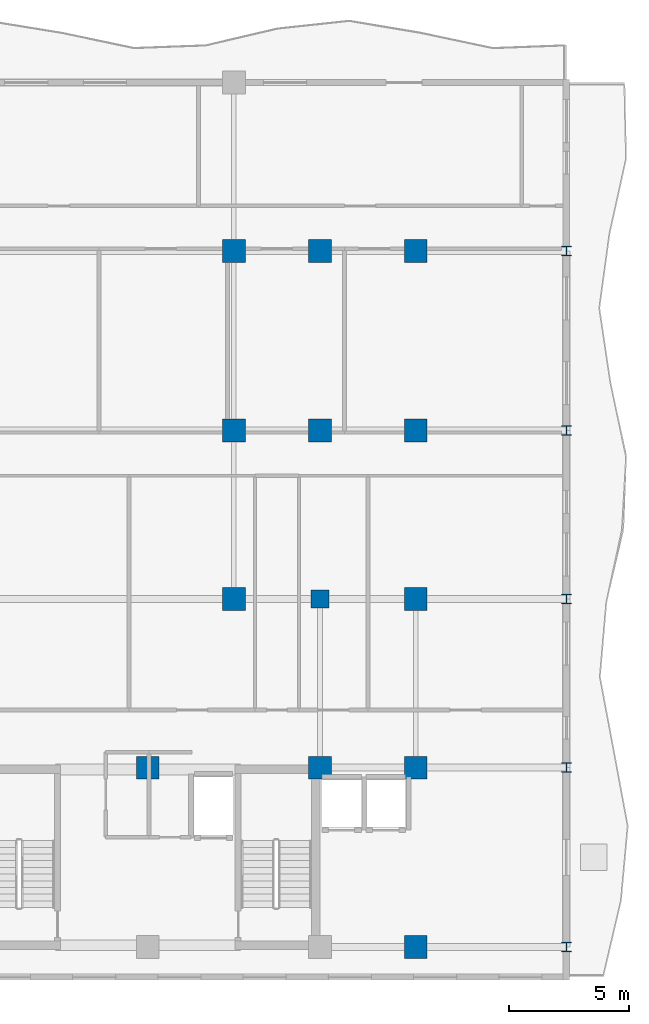
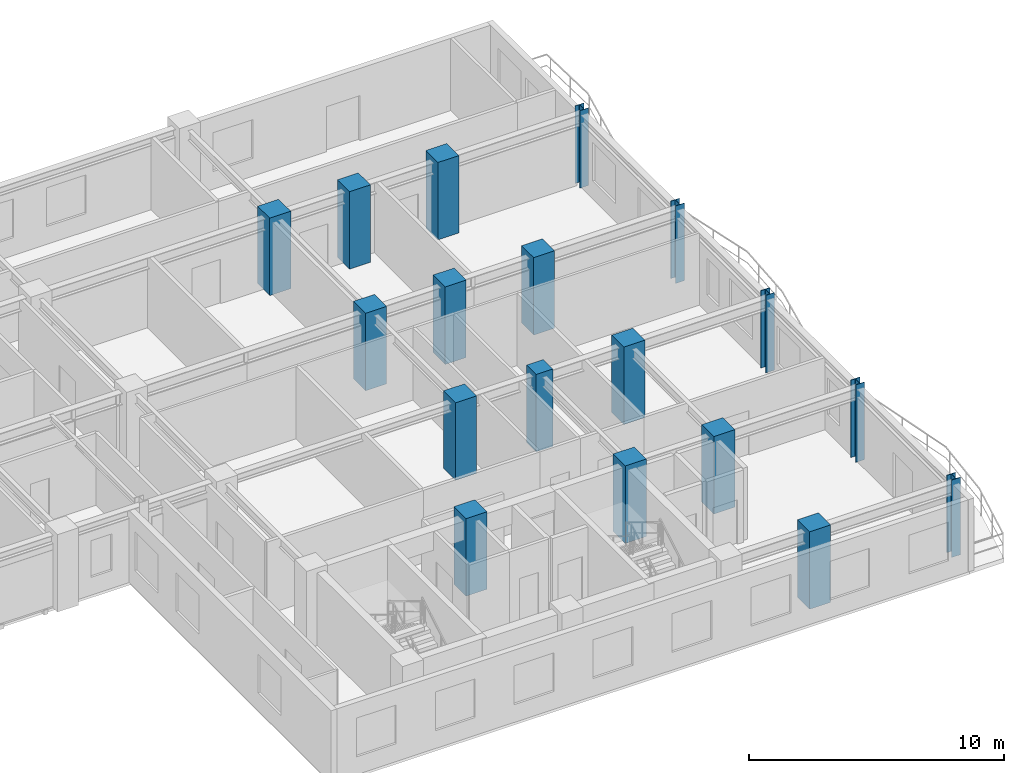
# One storey, part 2 of 14: 18 columns.
"""IFC4 building model written with IfcOpenShell, lengths in metres."""

from ifc_helpers import new_model, si_unit, direction, frame, origin, origin_2d, place, context, subcontext, project, spatial, rectangle, i_section, extrude, source, transform, mapped, material, material_profile, profile_set, type_object, element, save


model = new_model("IFC4")

# Units and contexts
model_context = context("Model", 3, precision=1e-05, world=origin(), true_north=direction((0.0, 1.0)))
body_context = subcontext(model_context, "Body", "Model", "MODEL_VIEW")
ifc_project = project(units=[si_unit("LENGTHUNIT", "METRE"), si_unit("AREAUNIT", "SQUARE_METRE"), si_unit("VOLUMEUNIT", "CUBIC_METRE"), si_unit("PLANEANGLEUNIT", "RADIAN"), si_unit("MASSUNIT", "GRAM", prefix="KILO")], contexts=[model_context])

# Site, building, storey
site_placement = place(None, origin())
site = spatial("IfcSite", under=ifc_project, at=site_placement, CompositionType="ELEMENT")
building_placement = place(site_placement, origin())
building = spatial("IfcBuilding", under=site, at=building_placement, Name="Kaliganga Portal Commons", CompositionType="ELEMENT")
storey_placement = place(building_placement, frame((0.0, 0.0, 220.300048828125)))
storey = spatial("IfcBuildingStorey", under=building, at=storey_placement, Name="L56", CompositionType="ELEMENT", Elevation=220.300048828125)

# Columns
ifc_material_1 = material(Name="Concrete C60/75", Category="concrete")
ifc_material_profile_1 = material_profile(ifc_material_1, rectangle(XDim=0.75, YDim=0.75, at=origin_2d()), Name="RC 750x750")
ifc_profile_set_1 = profile_set([ifc_material_profile_1], Name="Concrete C60/75")
column_type_1 = type_object("IfcColumnType", Name="COL-PILASTER-RC", PredefinedType="PILASTER", material=ifc_profile_set_1)
shared_shape_1 = source(origin(), body_context, "Body", "SweptSolid", [
    extrude(rectangle(XDim=0.75, YDim=0.75, at=origin_2d()), origin(), (0.0, 0.0, 1.0), 3.699951171875),
])
column_placement = place(storey_placement, frame((50.39990234375, 21.60009765625, 0.0), z_axis=(0.0, 0.0, 1.0), x_axis=(1.0, 0.0, 0.0)))
element("IfcColumn", 1, at=column_placement, inside=storey, type_object=column_type_1, Name="Column CP-01 L56", PredefinedType="PILASTER", context=body_context, shape_type="MappedRepresentation", body=[
    mapped(shared_shape_1, transform((0.0, 0.0, 0.0), x_axis=(1.0, 0.0, 0.0), y_axis=(0.0, 1.0, 0.0), z_axis=(0.0, 0.0, 1.0), scale=1.0)),
])
ifc_material_2 = material(Name="Concrete C50/60", Category="concrete")
ifc_material_profile_2 = material_profile(ifc_material_2, rectangle(XDim=0.949951171875, YDim=0.949951171875, at=origin_2d()), Name="RC 950x950")
ifc_profile_set_2 = profile_set([ifc_material_profile_2], Name="Concrete C50/60")
column_type_2 = type_object("IfcColumnType", Name="COL-MEGA-Z4", PredefinedType="COLUMN", material=ifc_profile_set_2)
shared_shape_2 = source(origin(), body_context, "Body", "SweptSolid", [
    extrude(rectangle(XDim=0.949951171875, YDim=0.949951171875, at=origin_2d()), origin(), (0.0, 0.0, 1.0), 3.699951171875),
])
for number, where, z_axis, x_axis, name in (
    (2, (46.800048828125, 21.60009765625, 0.0), (0.0, 0.0, 1.0), (1.0, 0.0, 0.0), "Column MC-05 L56"),
    (3, (46.800048828125, 28.64990234375, 0.0), (0.0, 0.0, 1.0), (1.0, 0.0, 0.0), "Column MC-05 L56"),
    (4, (46.800048828125, 36.14990234375, 0.0), (0.0, 0.0, 1.0), (1.0, 0.0, 0.0), "Column MC-05 L56"),
    (5, (43.199951171875, 14.550048828125, 0.0), (0.0, 0.0, 1.0), (1.0, 0.0, 0.0), "Column MC-05 L56"),
    (6, (50.39990234375, 14.550048828125, 0.0), (0.0, 0.0, 1.0), (1.0, 0.0, 0.0), "Column MC-05 L56"),
    (7, (50.39990234375, 28.64990234375, 0.0), (0.0, 0.0, 1.0), (1.0, 0.0, 0.0), "Column MC-05 L56"),
    (8, (50.39990234375, 36.14990234375, 0.0), (0.0, 0.0, 1.0), (1.0, 0.0, 0.0), "Column MC-05 L56"),
    (9, (54.39990234375, 7.050048828125, 0.0), (0.0, 0.0, 1.0), (1.0, 0.0, 0.0), "Column MC-05 L56"),
    (10, (54.39990234375, 14.550048828125, 0.0), (0.0, 0.0, 1.0), (1.0, 0.0, 0.0), "Column MC-05 L56"),
    (11, (54.39990234375, 21.60009765625, 0.0), (0.0, 0.0, 1.0), (1.0, 0.0, 0.0), "Column MC-05 L56"),
    (12, (54.39990234375, 28.64990234375, 0.0), (0.0, 0.0, 1.0), (1.0, 0.0, 0.0), "Column MC-05 L56"),
    (13, (54.39990234375, 36.14990234375, 0.0), (0.0, 0.0, 1.0), (1.0, 0.0, 0.0), "Column MC-05 L56"),
):
    element("IfcColumn", number, at=place(storey_placement, frame(where, z_axis=z_axis, x_axis=x_axis)), inside=storey, type_object=column_type_2, Name=name, PredefinedType="COLUMN", context=body_context, shape_type="MappedRepresentation", body=[
        mapped(shared_shape_2, transform((0.0, 0.0, 0.0), x_axis=(1.0, 0.0, 0.0), y_axis=(0.0, 1.0, 0.0), z_axis=(0.0, 0.0, 1.0), scale=1.0)),
    ])
ifc_material_3 = material(Name="Structural steel S355J2", Category="steel")
ifc_material_profile_3 = material_profile(ifc_material_3, i_section(OverallWidth=0.39892578125, OverallDepth=0.39990234375, WebThickness=0.017333984375, FlangeThickness=0.0234375, FilletRadius=0.014892578125, at=origin_2d()), Name="HD 400x287")
ifc_profile_set_3 = profile_set([ifc_material_profile_3], Name="Structural steel S355J2 wide-flange")
column_type_3 = type_object("IfcColumnType", Name="COL-TUBE-B4", PredefinedType="COLUMN", material=ifc_profile_set_3)
shared_shape_3 = source(origin(), body_context, "Body", "SweptSolid", [
    extrude(i_section(OverallWidth=0.39892578125, OverallDepth=0.39990234375, WebThickness=0.017333984375, FlangeThickness=0.0234375, FilletRadius=0.014892578125, at=origin_2d()), origin(), (0.0, 0.0, 1.0), 3.699951171875),
])
for number, where, z_axis, x_axis, name in (
    (14, (60.699951171875, 7.050048828125, 0.0), (0.0, 0.0, 1.0), (1.0, 0.0, 0.0), "Column TC-04 L56"),
    (15, (60.699951171875, 14.550048828125, 0.0), (0.0, 0.0, 1.0), (1.0, 0.0, 0.0), "Column TC-04 L56"),
    (16, (60.699951171875, 21.60009765625, 0.0), (0.0, 0.0, 1.0), (1.0, 0.0, 0.0), "Column TC-04 L56"),
    (17, (60.699951171875, 28.64990234375, 0.0), (0.0, 0.0, 1.0), (1.0, 0.0, 0.0), "Column TC-04 L56"),
    (18, (60.699951171875, 36.14990234375, 0.0), (0.0, 0.0, 1.0), (1.0, 0.0, 0.0), "Column TC-04 L56"),
):
    element("IfcColumn", number, at=place(storey_placement, frame(where, z_axis=z_axis, x_axis=x_axis)), inside=storey, type_object=column_type_3, Name=name, PredefinedType="COLUMN", context=body_context, shape_type="MappedRepresentation", body=[
        mapped(shared_shape_3, transform((0.0, 0.0, 0.0), x_axis=(1.0, 0.0, 0.0), y_axis=(0.0, 1.0, 0.0), z_axis=(0.0, 0.0, 1.0), scale=1.0)),
    ])

save(model, "model.ifc")
